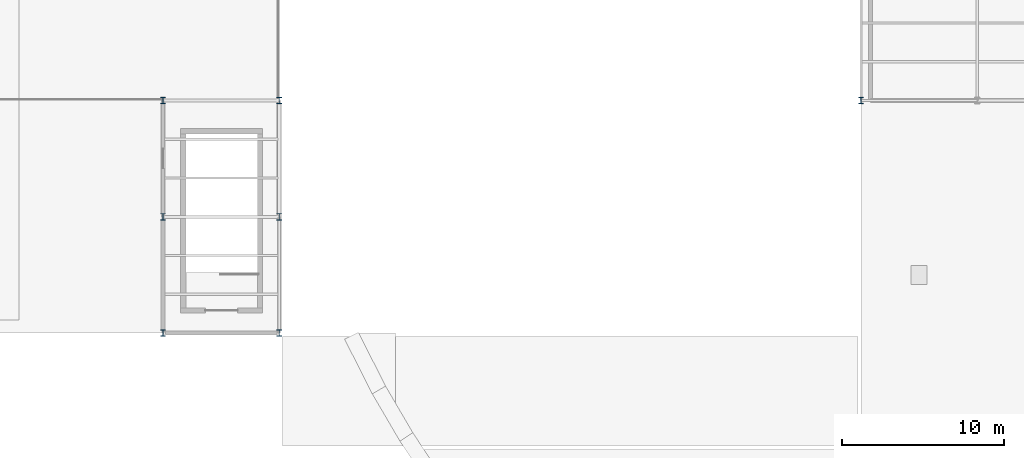
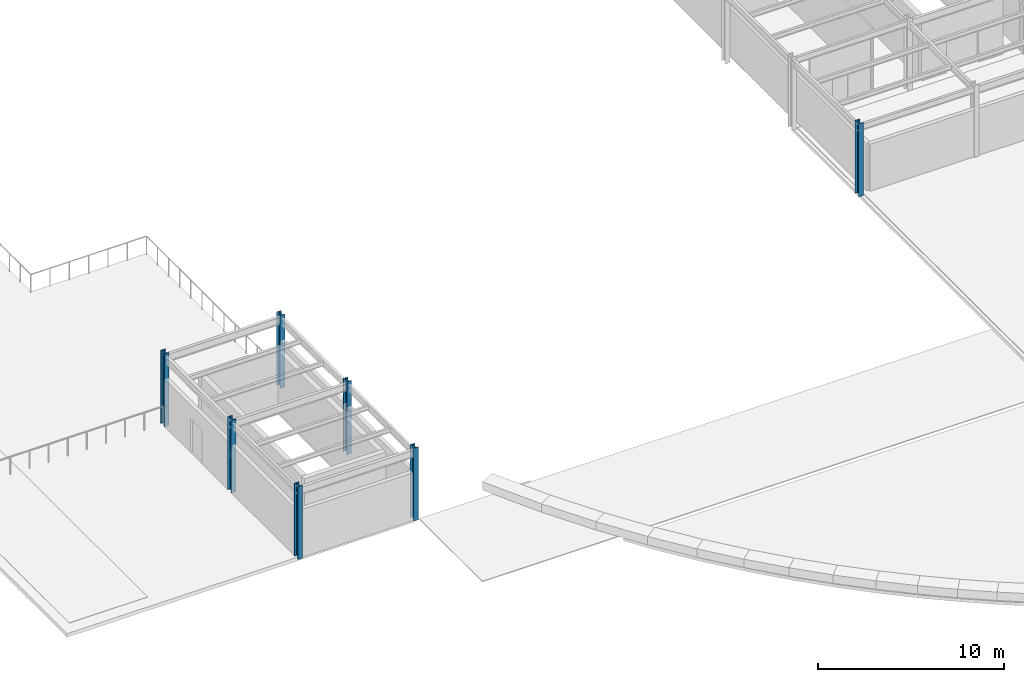
# One storey, part 1 of 41: 7 columns.
"""IFC4 building model written with IfcOpenShell, lengths in metres."""

from ifc_helpers import new_model, si_unit, direction, frame, origin, origin_2d, place, context, subcontext, project, spatial, i_section, extrude, material, material_profile, profile_set, type_object, element, save


model = new_model("IFC4")

# Units and contexts
model_context = context("Model", 3, precision=1e-05, world=origin(), true_north=direction((0.0, 1.0)))
body_context = subcontext(model_context, "Body", "Model", "MODEL_VIEW")
ifc_project = project(units=[si_unit("LENGTHUNIT", "METRE"), si_unit("AREAUNIT", "SQUARE_METRE"), si_unit("VOLUMEUNIT", "CUBIC_METRE"), si_unit("PLANEANGLEUNIT", "RADIAN"), si_unit("MASSUNIT", "GRAM", prefix="KILO")], contexts=[model_context])

# Site, building, storey
site_placement = place(None, origin())
site = spatial("IfcSite", under=ifc_project, at=site_placement, CompositionType="ELEMENT")
building_placement = place(site_placement, origin())
building = spatial("IfcBuilding", under=site, at=building_placement, Name="Solvadek Multi-Sports Hall", CompositionType="ELEMENT")
storey_placement = place(building_placement, frame((0.0, 0.0, 14.39990234375)))
storey = spatial("IfcBuildingStorey", under=building, at=storey_placement, Name="L03", CompositionType="ELEMENT", Elevation=14.39990234375)

# Columns
ifc_material = material(Name="Steel E350 (350 MPa)", Category="steel")
ifc_material_profile = material_profile(ifc_material, i_section(OverallWidth=0.300048828125, OverallDepth=0.39990234375, WebThickness=0.013427734375, FlangeThickness=0.02392578125, at=origin_2d()), Name="WPB 400")
ifc_profile_set = profile_set([ifc_material_profile], Name="Steel E350 (350 MPa)")
column_type = type_object("IfcColumnType", Name="STR-COL-WPB400", PredefinedType="COLUMN", material=ifc_profile_set)
for number, where, z_axis, x_axis, name in (
    (1, (14.39990234375, 20.39990234375, 0.0), (0.0, 0.0, 1.0), (1.0, 0.0, 0.0), "L03 Column C-07 #27"),
    (2, (14.39990234375, 27.60009765625, 0.0), (0.0, 0.0, 1.0), (1.0, 0.0, 0.0), "L03 Column C-07 #28"),
    (3, (14.39990234375, 34.800048828125, 0.0), (0.0, 0.0, 1.0), (1.0, 0.0, 0.0), "L03 Column C-07 #29"),
    (4, (21.60009765625, 20.39990234375, 0.0), (0.0, 0.0, 1.0), (1.0, 0.0, 0.0), "L03 Column C-07 #40"),
    (5, (21.60009765625, 27.60009765625, 0.0), (0.0, 0.0, 1.0), (1.0, 0.0, 0.0), "L03 Column C-07 #41"),
    (6, (21.60009765625, 34.800048828125, 0.0), (0.0, 0.0, 1.0), (1.0, 0.0, 0.0), "L03 Column C-07 #42"),
    (7, (57.60009765625, 34.800048828125, 0.0), (0.0, 0.0, 1.0), (1.0, 0.0, 0.0), "L03 Column C-07 #118"),
):
    element("IfcColumn", number, at=place(storey_placement, frame(where, z_axis=z_axis, x_axis=x_axis)), inside=storey, type_object=column_type, Name=name, PredefinedType="COLUMN", context=body_context, shape_type="SweptSolid", body=[
        extrude(i_section(OverallWidth=0.300048828125, OverallDepth=0.39990234375, WebThickness=0.013427734375, FlangeThickness=0.02392578125, at=origin_2d()), origin(), (0.0, 0.0, 1.0), 4.800048828125),
    ])

save(model, "model.ifc")
